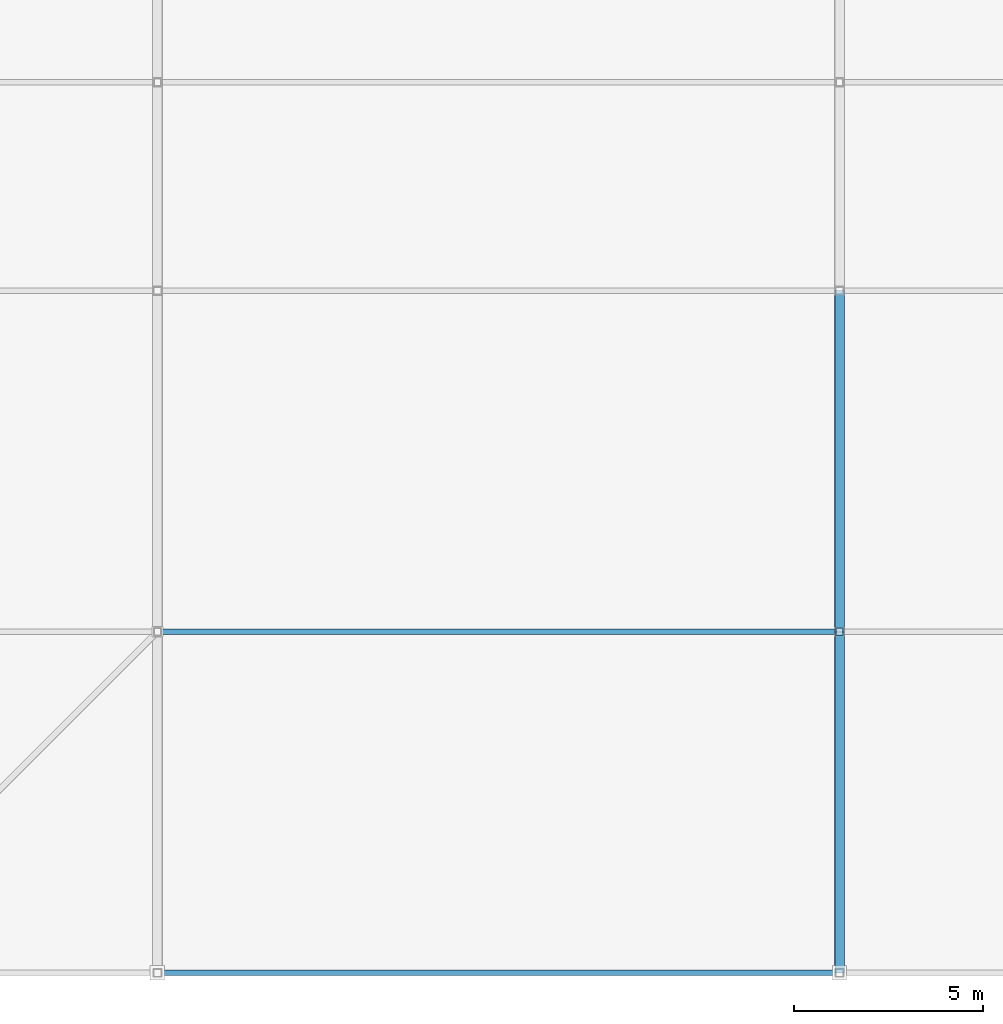
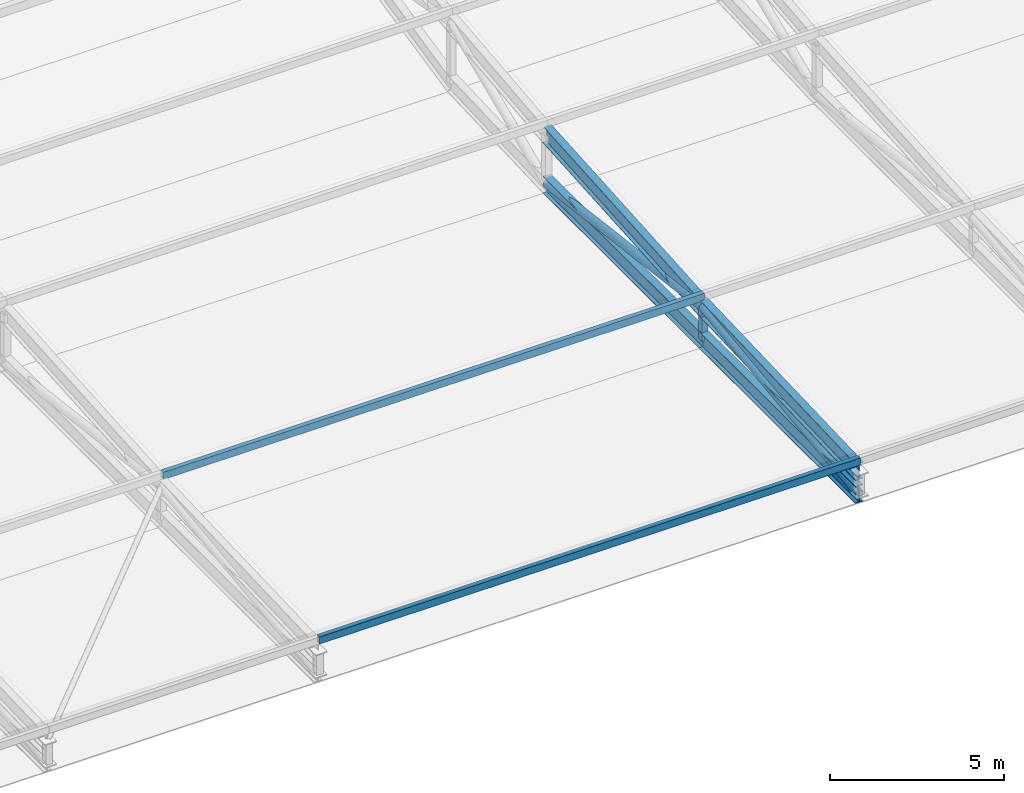
# One storey, part 19 of 114: 5 members, 4 beams.
"""IFC4 building model written with IfcOpenShell, lengths in metres."""

from ifc_helpers import new_model, si_unit, direction, frame, origin, origin_2d, place, context, subcontext, project, spatial, hollow_rectangle, hollow_circle, i_section, extrude, material, material_profile, profile_set, type_object, element, save


model = new_model("IFC4")

# Units and contexts
model_context = context("Model", 3, precision=1e-05, world=origin(), true_north=direction((0.0, 1.0)))
body_context = subcontext(model_context, "Body", "Model", "MODEL_VIEW")
ifc_project = project(units=[si_unit("LENGTHUNIT", "METRE"), si_unit("AREAUNIT", "SQUARE_METRE"), si_unit("VOLUMEUNIT", "CUBIC_METRE"), si_unit("PLANEANGLEUNIT", "RADIAN"), si_unit("MASSUNIT", "GRAM", prefix="KILO"), si_unit("THERMODYNAMICTEMPERATUREUNIT", "KELVIN"), si_unit("POWERUNIT", "WATT")], contexts=[model_context])

# Site, building, storey
site_placement = place(None, origin())
site = spatial("IfcSite", under=ifc_project, at=site_placement, CompositionType="ELEMENT")
building_placement = place(site_placement, origin())
building = spatial("IfcBuilding", under=site, at=building_placement, Name="Sindhuravela Promenade Stadium", CompositionType="ELEMENT")
storey_placement = place(building_placement, frame((0.0, 0.0, 24.0)))
storey = spatial("IfcBuildingStorey", under=building, at=storey_placement, Name="L05", CompositionType="ELEMENT", Elevation=24.0)

# Beams
ifc_material = material(Name="Steel E350 (IS 2062 E350BR)", Category="steel")
ifc_material_profile_1 = material_profile(ifc_material, i_section(OverallWidth=0.25, OverallDepth=0.60009765625, WebThickness=0.01171875, FlangeThickness=0.023681640625, FilletRadius=0.01708984375, at=origin_2d()), Name="ISWB 600")
ifc_profile_set_1 = profile_set([ifc_material_profile_1], Name="Steel E350 (IS 2062 E350BR)")
beam_type = type_object("IfcBeamType", Name="ST-BM-WB600", PredefinedType="USERDEFINED", material=ifc_profile_set_1)
beam_1_placement = place(storey_placement, frame((126.0, 9.0, 0.800048828125), z_axis=(0.0, 0.9993399990381225, 0.03632583546850814), x_axis=(-1.0, 0.0, 0.0)))
element("IfcBeam", 1, at=beam_1_placement, inside=storey, type_object=beam_type, Name="Roof truss RT-S06 top chord 1", ObjectType="ROOF TRUSS", PredefinedType="USERDEFINED", context=body_context, shape_type="SweptSolid", body=[
    extrude(i_section(OverallWidth=0.25, OverallDepth=0.60009765625, WebThickness=0.01171875, FlangeThickness=0.023681640625, FilletRadius=0.01708984375, at=origin_2d()), origin(), (0.0, 0.0, 1.0), 9.005859375),
])
beam_2_placement = place(storey_placement, frame((126.0, 9.0, 0.0), z_axis=(0.0, 1.0, 0.0), x_axis=(-1.0, 0.0, 0.0)))
element("IfcBeam", 2, at=beam_2_placement, inside=storey, type_object=beam_type, Name="Roof truss RT-S06 bottom chord 1", ObjectType="ROOF TRUSS", PredefinedType="USERDEFINED", context=body_context, shape_type="SweptSolid", body=[
    extrude(i_section(OverallWidth=0.25, OverallDepth=0.60009765625, WebThickness=0.01171875, FlangeThickness=0.023681640625, FilletRadius=0.01708984375, at=origin_2d()), origin(), (0.0, 0.0, 1.0), 9.0),
])
beam_3_placement = place(storey_placement, frame((126.0, 18.0, 1.127197265625), z_axis=(0.0, 0.9975125305940163, 0.07048937017679613), x_axis=(-1.0, 0.0, 0.0)))
element("IfcBeam", 3, at=beam_3_placement, inside=storey, type_object=beam_type, Name="Roof truss RT-S06 top chord 2", ObjectType="ROOF TRUSS", PredefinedType="USERDEFINED", context=body_context, shape_type="SweptSolid", body=[
    extrude(i_section(OverallWidth=0.25, OverallDepth=0.60009765625, WebThickness=0.01171875, FlangeThickness=0.023681640625, FilletRadius=0.01708984375, at=origin_2d()), origin(), (0.0, 0.0, 1.0), 9.0224609375),
])
beam_4_placement = place(storey_placement, frame((126.0, 18.0, 0.0), z_axis=(0.0, 1.0, 0.0), x_axis=(-1.0, 0.0, 0.0)))
element("IfcBeam", 4, at=beam_4_placement, inside=storey, type_object=beam_type, Name="Roof truss RT-S06 bottom chord 2", ObjectType="ROOF TRUSS", PredefinedType="USERDEFINED", context=body_context, shape_type="SweptSolid", body=[
    extrude(i_section(OverallWidth=0.25, OverallDepth=0.60009765625, WebThickness=0.01171875, FlangeThickness=0.023681640625, FilletRadius=0.01708984375, at=origin_2d()), origin(), (0.0, 0.0, 1.0), 9.0),
])

# Members
ifc_material_profile_2 = material_profile(ifc_material, hollow_circle(Radius=0.136474609375, WallThickness=0.010009765625, at=origin_2d()), Name="CHS 273.0x10")
ifc_profile_set_2 = profile_set([ifc_material_profile_2], Name="Steel E350 (IS 2062 E350BR)")
member_type_1 = type_object("IfcMemberType", Name="ST-MB-CHS273", PredefinedType="BRACE", material=ifc_profile_set_2)
for number, where, z_axis, x_axis, name in (
    (5, (126.0, 9.0, 0.0), (0.0, 0.9922480329009012, 0.12427325216752011), (-1.0, 0.0, 0.0), "Roof truss RT-S06 diagonal web 1"),
    (6, (126.0, 18.0, 1.127197265625), (0.0, 0.9922480329009012, -0.12427325216752011), (-1.0, 0.0, 0.0), "Roof truss RT-S06 diagonal web 2"),
):
    element("IfcMember", number, at=place(storey_placement, frame(where, z_axis=z_axis, x_axis=x_axis)), inside=storey, type_object=member_type_1, Name=name, PredefinedType="BRACE", context=body_context, shape_type="SweptSolid", body=[
        extrude(hollow_circle(Radius=0.136474609375, WallThickness=0.010009765625, at=origin_2d()), origin(), (0.0, 0.0, 1.0), 9.0703125),
    ])
ifc_material_profile_3 = material_profile(ifc_material, hollow_rectangle(XDim=0.14990234375, YDim=0.25, WallThickness=0.010009765625, at=origin_2d()), Name="RHS 250x150x10")
ifc_profile_set_3 = profile_set([ifc_material_profile_3], Name="Steel E350 (IS 2062 E350BR)")
member_type_2 = type_object("IfcMemberType", Name="ST-MB-RHS250", PredefinedType="PURLIN", material=ifc_profile_set_3)
for number, where, z_axis, x_axis, name in (
    (7, (108.0, 9.0, 1.19189453125), (1.0, 0.0, 0.0), (0.0, 1.0, 0.0), "Roof purlin PR01 S bay 5.1"),
    (8, (108.0, 18.0, 1.51904296875), (1.0, 0.0, 0.0), (0.0, 1.0, 0.0), "Roof purlin PR01 S bay 5.2"),
):
    element("IfcMember", number, at=place(storey_placement, frame(where, z_axis=z_axis, x_axis=x_axis)), inside=storey, type_object=member_type_2, Name=name, PredefinedType="PURLIN", context=body_context, shape_type="SweptSolid", body=[
        extrude(hollow_rectangle(XDim=0.14990234375, YDim=0.25, WallThickness=0.010009765625, at=origin_2d()), origin(), (0.0, 0.0, 1.0), 18.0),
    ])
ifc_material_profile_4 = material_profile(ifc_material, hollow_rectangle(XDim=0.199951171875, YDim=0.199951171875, WallThickness=0.010009765625, at=origin_2d()), Name="SHS 200x200x10")
ifc_profile_set_4 = profile_set([ifc_material_profile_4], Name="Steel E350 (IS 2062 E350BR)")
member_type_3 = type_object("IfcMemberType", Name="ST-MB-SHS200", PredefinedType="POST", material=ifc_profile_set_4)
member_placement = place(storey_placement, frame((126.0, 18.0, 0.0), z_axis=(0.0, 0.0, 1.0), x_axis=(1.0, 0.0, 0.0)))
element("IfcMember", 9, at=member_placement, inside=storey, type_object=member_type_3, Name="Roof truss RT-S06 vertical post 2", PredefinedType="POST", context=body_context, shape_type="SweptSolid", body=[
    extrude(hollow_rectangle(XDim=0.199951171875, YDim=0.199951171875, WallThickness=0.010009765625, at=origin_2d()), origin(), (0.0, 0.0, 1.0), 1.127197265625),
])

save(model, "model.ifc")
